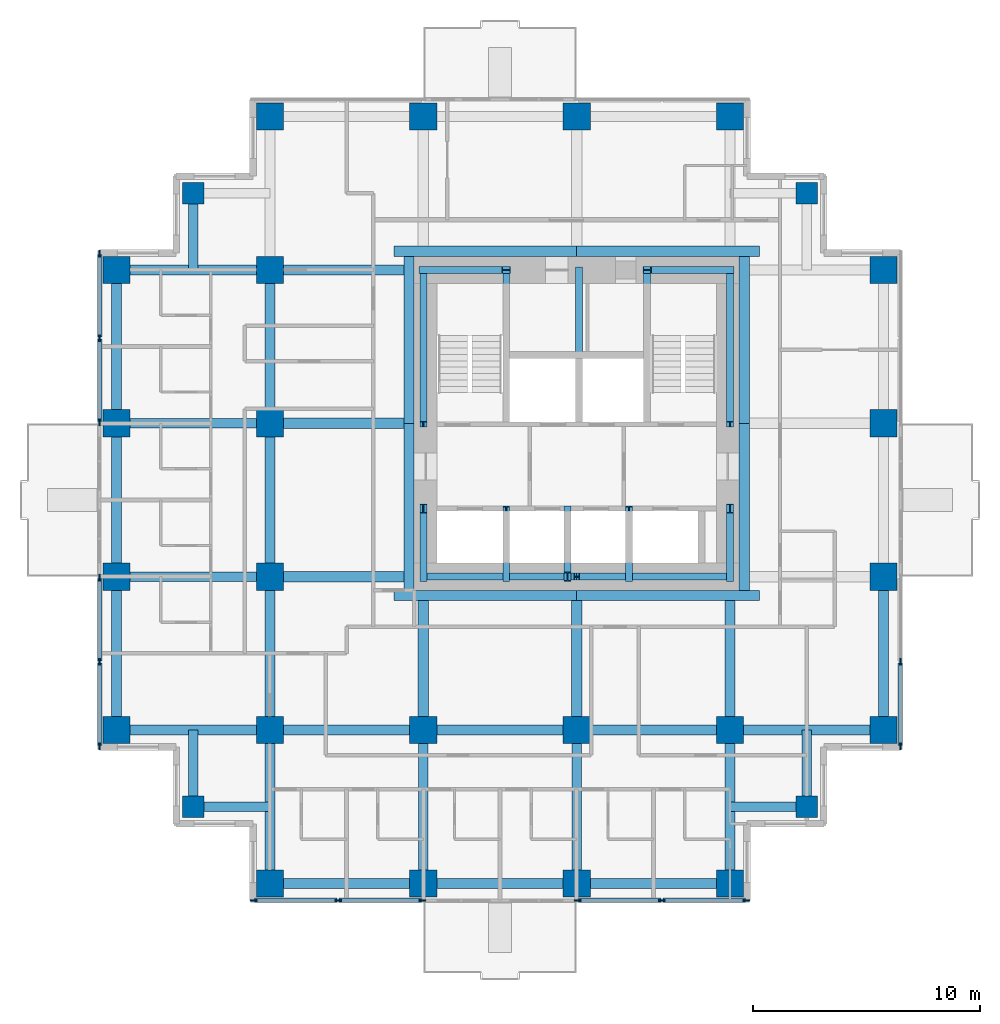
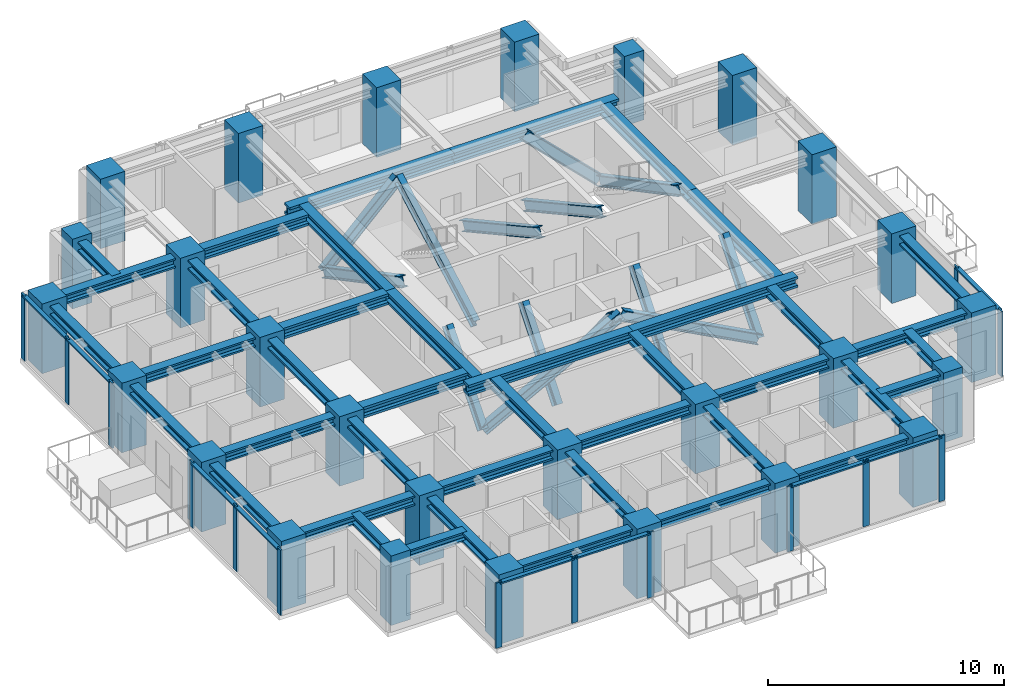
# One storey, part 1 of 8: 41 beams, 37 members, 27 columns, 5 elements without a shape of their own.
"""IFC4 building model written with IfcOpenShell, lengths in metres."""

import ifcopenshell
import ifcopenshell.guid

model = None  # the IFC model being written
_history = None  # IfcOwnerHistory: only IFC2X3 demands one
_inside = {}  # id of a spatial element -> (the spatial element, [elements in it])
_under = {}  # id of a project, library or spatial element -> (it, [spatial elements below it])
_declared = {}  # id of a project -> (the project, [libraries it declares])
_typed = {}  # id of a type object -> (the type object, [elements of that type])
_made_of = {}  # id of a material, layer set ... -> (it, [elements and type objects made of it])


def new_model(schema):
    """Start an empty IFC model of exactly this schema.

    Asked for "IFC4X3", IfcOpenShell would pick the latest addendum, in which some entities
    have other attributes; the version numbers below select the first issue.
    IFC2X3 requires an IfcOwnerHistory on every rooted entity: one is made here for all.
    """
    global model, _history
    if schema == "IFC4X3":
        model = ifcopenshell.file(schema_version=(4, 3, 0, 0))
    else:
        model = ifcopenshell.file(schema=schema)
    _inside.clear()
    _under.clear()
    _declared.clear()
    _typed.clear()
    _made_of.clear()
    _history = None
    if model.schema == "IFC2X3":
        org = make("IfcOrganization", Name="unknown")
        user = make(
            "IfcPersonAndOrganization",
            ThePerson=make("IfcPerson", FamilyName="unknown"),
            TheOrganization=org,
        )
        app = make(
            "IfcApplication",
            ApplicationDeveloper=org,
            Version="unknown",
            ApplicationFullName="unknown",
            ApplicationIdentifier="unknown",
        )
        _history = make(
            "IfcOwnerHistory",
            OwningUser=user,
            OwningApplication=app,
            ChangeAction="ADDED",
            CreationDate=0,
        )
    return model


def make(cls, **values):
    """One entity of the class cls with the attributes given. An attribute that is None is left unset."""
    return model.create_entity(
        cls, **{name: value for name, value in values.items() if value is not None}
    )


def rooted(cls, **values):
    """An entity with a GlobalId (a new one), such as an element, a storey or a relation."""
    return make(cls, GlobalId=ifcopenshell.guid.new(), OwnerHistory=_history, **values)


def si_unit(unit_type, name, prefix=None):
    """IfcSIUnit, for example si_unit("LENGTHUNIT", "METRE", prefix="MILLI")."""
    return make("IfcSIUnit", UnitType=unit_type, Prefix=prefix, Name=name)


def assignment(units):
    """IfcUnitAssignment: the units of a project."""
    return None if units is None else make("IfcUnitAssignment", Units=units)


def point(xyz):
    """IfcCartesianPoint."""
    return None if xyz is None else make("IfcCartesianPoint", Coordinates=xyz)


def direction(xyz):
    """IfcDirection."""
    return None if xyz is None else make("IfcDirection", DirectionRatios=xyz)


def frame(location, z_axis=None, x_axis=None):
    """IfcAxis2Placement3D, a coordinate frame: its origin and axes. An axis left out is left unset."""
    return make(
        "IfcAxis2Placement3D",
        Location=point(location),
        Axis=direction(z_axis),
        RefDirection=direction(x_axis),
    )


def frame_2d(location, x_axis=None):
    """IfcAxis2Placement2D, a coordinate frame in the plane: its origin and x axis."""
    return make(
        "IfcAxis2Placement2D", Location=point(location), RefDirection=direction(x_axis)
    )


def origin():
    """The frame at (0, 0, 0) with its axes left unset."""
    return frame((0.0, 0.0, 0.0))


def origin_2d():
    """The frame at (0, 0) in the plane with its x axis left unset."""
    return frame_2d((0.0, 0.0))


def place(relative_to, where):
    """IfcLocalPlacement: puts the frame where relative to a parent placement (None: the world)."""
    return make(
        "IfcLocalPlacement", PlacementRelTo=relative_to, RelativePlacement=where
    )


def context(
    kind, dimensions, precision=None, world=None, true_north=None, identifier=None
):
    """IfcGeometricRepresentationContext, for example the 3D "Model" context."""
    return make(
        "IfcGeometricRepresentationContext",
        ContextIdentifier=identifier,
        ContextType=kind,
        CoordinateSpaceDimension=dimensions,
        Precision=precision,
        WorldCoordinateSystem=world,
        TrueNorth=true_north,
    )


def subcontext(parent, identifier, kind, view, scale=None):
    """IfcGeometricRepresentationSubContext, for example "Body" below "Model"."""
    return make(
        "IfcGeometricRepresentationSubContext",
        ContextIdentifier=identifier,
        ContextType=kind,
        ParentContext=parent,
        TargetScale=scale,
        TargetView=view,
    )


def project(units=None, contexts=None):
    """IfcProject with its units and contexts."""
    return rooted(
        "IfcProject",
        Name="project",
        RepresentationContexts=contexts,
        UnitsInContext=assignment(units),
    )


def spatial(cls, under=None, at=None, **own):
    """A site, building, storey or space (cls), placed at a placement, below another one or the project."""
    s = rooted(cls, ObjectPlacement=at, **own)
    if under is not None:
        _under.setdefault(under.id(), (under, []))[1].append(s)
    return s


def profile(cls, at=None, kind="AREA", **sizes):
    """A parametric profile (cls). Its sizes go by their IFC names, for example OverallWidth=200.0."""
    return make(cls, ProfileType=kind, Position=at, **sizes)


def rectangle(**sizes):
    """IfcRectangleProfileDef."""
    return profile("IfcRectangleProfileDef", **sizes)


def i_section(**sizes):
    """IfcIShapeProfileDef."""
    return profile("IfcIShapeProfileDef", **sizes)


def extrude(swept, where, along, depth):
    """IfcExtrudedAreaSolid: the profile swept, set in the frame where, extruded along a direction by depth."""
    return make(
        "IfcExtrudedAreaSolid",
        SweptArea=swept,
        Position=where,
        ExtrudedDirection=direction(along),
        Depth=depth,
    )


def shape(context_of_items, identifier, shape_type, items):
    """IfcShapeRepresentation: the items that make up one representation, for example the "Body"."""
    return make(
        "IfcShapeRepresentation",
        ContextOfItems=context_of_items,
        RepresentationIdentifier=identifier,
        RepresentationType=shape_type,
        Items=items,
    )


def material(Name=None, Category=None):
    """IfcMaterial."""
    return make("IfcMaterial", Name=Name, Category=Category)


def material_profile(
    of_material, cross_section, Name=None, Category=None, Priority=None
):
    """IfcMaterialProfile: a cross section and its material."""
    return make(
        "IfcMaterialProfile",
        Name=Name,
        Material=of_material,
        Profile=cross_section,
        Priority=Priority,
        Category=Category,
    )


def profile_set(profiles, Name=None, composite=None):
    """IfcMaterialProfileSet."""
    return make(
        "IfcMaterialProfileSet",
        Name=Name,
        MaterialProfiles=profiles,
        CompositeProfile=composite,
    )


def made_of(thing, what):
    """Note that an element or type object is made of a material, layer set ...; save() writes the relation."""
    if what is not None:
        _made_of.setdefault(what.id(), (what, []))[1].append(thing)
    return thing


def type_object(cls, material=None, **own):
    """A type object (cls), such as IfcWallType, which elements share."""
    return made_of(rooted(cls, **own), material)


def element(
    cls,
    number,
    at=None,
    inside=None,
    cuts=None,
    type_object=None,
    material=None,
    context=None,
    identifier="Body",
    shape_type=None,
    held_by="IfcProductDefinitionShape",
    body=None,
    shapes=None,
    **own,
):
    """One element of the class cls, such as IfcWall. Its Tag is "e" and its number.

    at: its placement. inside: the storey or other place that contains it. cuts: it is an
    opening in that element (IfcRelVoidsElement). A single representation is given by context,
    identifier, shape_type and body (its items); several are given by shapes. held_by: the class
    of the entity that holds the representations. save() writes the other relations.
    """
    e = rooted(cls, Tag="e%d" % number, ObjectPlacement=at, **own)
    if body is not None:
        shapes = [shape(context, identifier, shape_type, body)]
    if shapes is not None:
        e.Representation = make(held_by, Representations=shapes)
    if inside is not None:
        _inside.setdefault(inside.id(), (inside, []))[1].append(e)
    if cuts is not None:
        rooted(
            "IfcRelVoidsElement", RelatingBuildingElement=cuts, RelatedOpeningElement=e
        )
    if type_object is not None:
        _typed.setdefault(type_object.id(), (type_object, []))[1].append(e)
    return made_of(e, material)


def aggregate(whole, parts):
    """IfcRelAggregates: a whole, such as a stair, and the parts it consists of."""
    return rooted("IfcRelAggregates", RelatingObject=whole, RelatedObjects=parts)


def save(model, path):
    """Write the relations noted so far, then the file.

    IfcRelAggregates (storeys below a building ...), IfcRelContainedInSpatialStructure (elements
    in a storey), IfcRelDefinesByType, IfcRelAssociatesMaterial and IfcRelDeclares: one each for
    every whole, place, type object, material and project.
    """
    for whole, parts in _under.values():
        aggregate(whole, parts)
    for where, things in _inside.values():
        rooted(
            "IfcRelContainedInSpatialStructure",
            RelatedElements=things,
            RelatingStructure=where,
        )
    for kind, things in _typed.values():
        rooted("IfcRelDefinesByType", RelatedObjects=things, RelatingType=kind)
    for what, things in _made_of.values():
        rooted("IfcRelAssociatesMaterial", RelatedObjects=things, RelatingMaterial=what)
    for by, libraries in _declared.values():
        rooted("IfcRelDeclares", RelatingContext=by, RelatedDefinitions=libraries)
    model.write(path)


model = new_model("IFC4")

# Units and contexts
model_context = context("Model", 3, precision=1e-05, world=origin(), true_north=direction((0.0, 1.0)))
body_context = subcontext(model_context, "Body", "Model", "MODEL_VIEW")
ifc_project = project(units=[si_unit("LENGTHUNIT", "METRE"), si_unit("AREAUNIT", "SQUARE_METRE"), si_unit("VOLUMEUNIT", "CUBIC_METRE"), si_unit("PLANEANGLEUNIT", "RADIAN"), si_unit("MASSUNIT", "GRAM", prefix="KILO")], contexts=[model_context])

# Site, building, storey
site_placement = place(None, origin())
site = spatial("IfcSite", under=ifc_project, at=site_placement, CompositionType="ELEMENT")
building_placement = place(site_placement, origin())
building = spatial("IfcBuilding", under=site, at=building_placement, Name="Nyansa Garden Tower", CompositionType="ELEMENT")
storey_placement = place(building_placement, frame((0.0, 0.0, 171.0)))
storey = spatial("IfcBuildingStorey", under=building, at=storey_placement, Name="L46", CompositionType="ELEMENT", Elevation=171.0)

# Columns
ifc_material_1 = material(Name="Concrete C70/85", Category="concrete")
ifc_material_profile_1 = material_profile(ifc_material_1, rectangle(XDim=1.199951171875, YDim=1.199951171875, at=origin_2d()), Name="RC 1200x1200")
ifc_profile_set_1 = profile_set([ifc_material_profile_1], Name="Concrete C70/85")
column_type_1 = type_object("IfcColumnType", Name="Column C120 RC 1200x1200", PredefinedType="COLUMN", material=ifc_profile_set_1)
for number, where, z_axis, x_axis, name in (
    (1, (0.0, 6.75, 0.0), (0.0, 0.0, 1.0), (1.0, 0.0, 0.0), "Column 2/E L46"),
    (2, (0.0, 13.5, 0.0), (0.0, 0.0, 1.0), (1.0, 0.0, 0.0), "Column 2/F L46"),
    (3, (0.0, 20.25, 0.0), (0.0, 0.0, 1.0), (1.0, 0.0, 0.0), "Column 2/G L46"),
    (4, (0.0, 27.0, 0.0), (0.0, 0.0, 1.0), (1.0, 0.0, 0.0), "Column 2/H L46"),
    (5, (6.75, 0.0, 0.0), (0.0, 0.0, 1.0), (1.0, 0.0, 0.0), "Column 3/D L46"),
    (6, (6.75, 6.75, 0.0), (0.0, 0.0, 1.0), (1.0, 0.0, 0.0), "Column 3/E L46"),
    (7, (6.75, 13.5, 0.0), (0.0, 0.0, 1.0), (1.0, 0.0, 0.0), "Column 3/F L46"),
    (8, (6.75, 20.25, 0.0), (0.0, 0.0, 1.0), (1.0, 0.0, 0.0), "Column 3/G L46"),
    (9, (6.75, 27.0, 0.0), (0.0, 0.0, 1.0), (1.0, 0.0, 0.0), "Column 3/H L46"),
    (10, (6.75, 33.75, 0.0), (0.0, 0.0, 1.0), (1.0, 0.0, 0.0), "Column 3/J L46"),
    (11, (13.5, 0.0, 0.0), (0.0, 0.0, 1.0), (1.0, 0.0, 0.0), "Column 4/D L46"),
    (12, (13.5, 6.75, 0.0), (0.0, 0.0, 1.0), (1.0, 0.0, 0.0), "Column 4/E L46"),
    (13, (13.5, 33.75, 0.0), (0.0, 0.0, 1.0), (1.0, 0.0, 0.0), "Column 4/J L46"),
    (14, (20.25, 0.0, 0.0), (0.0, 0.0, 1.0), (1.0, 0.0, 0.0), "Column 5/D L46"),
    (15, (20.25, 6.75, 0.0), (0.0, 0.0, 1.0), (1.0, 0.0, 0.0), "Column 5/E L46"),
    (16, (20.25, 33.75, 0.0), (0.0, 0.0, 1.0), (1.0, 0.0, 0.0), "Column 5/J L46"),
    (17, (27.0, 0.0, 0.0), (0.0, 0.0, 1.0), (1.0, 0.0, 0.0), "Column 6/D L46"),
    (18, (27.0, 6.75, 0.0), (0.0, 0.0, 1.0), (1.0, 0.0, 0.0), "Column 6/E L46"),
    (19, (27.0, 33.75, 0.0), (0.0, 0.0, 1.0), (1.0, 0.0, 0.0), "Column 6/J L46"),
    (20, (33.75, 6.75, 0.0), (0.0, 0.0, 1.0), (1.0, 0.0, 0.0), "Column 7/E L46"),
    (21, (33.75, 13.5, 0.0), (0.0, 0.0, 1.0), (1.0, 0.0, 0.0), "Column 7/F L46"),
    (22, (33.75, 20.25, 0.0), (0.0, 0.0, 1.0), (1.0, 0.0, 0.0), "Column 7/G L46"),
    (23, (33.75, 27.0, 0.0), (0.0, 0.0, 1.0), (1.0, 0.0, 0.0), "Column 7/H L46"),
):
    element("IfcColumn", number, at=place(storey_placement, frame(where, z_axis=z_axis, x_axis=x_axis)), inside=storey, type_object=column_type_1, Name=name, PredefinedType="COLUMN", context=body_context, shape_type="SweptSolid", body=[
        extrude(rectangle(XDim=1.199951171875, YDim=1.199951171875, at=origin_2d()), origin(), (0.0, 0.0, 1.0), 3.60009765625),
    ])
ifc_material_2 = material(Name="Concrete C70/85", Category="concrete")
ifc_material_profile_2 = material_profile(ifc_material_2, rectangle(XDim=0.949951171875, YDim=0.949951171875, at=origin_2d()), Name="RC 950x950")
ifc_profile_set_2 = profile_set([ifc_material_profile_2], Name="Concrete C70/85")
column_type_2 = type_object("IfcColumnType", Name="Column C95 RC 950x950", PredefinedType="COLUMN", material=ifc_profile_set_2)
for number, where, z_axis, x_axis, name in (
    (24, (3.375, 3.375, 0.0), (0.0, 0.0, 1.0), (1.0, 0.0, 0.0), "Column x3.375/y3.375 L46"),
    (25, (3.375, 30.375, 0.0), (0.0, 0.0, 1.0), (1.0, 0.0, 0.0), "Column x3.375/y30.375 L46"),
    (26, (30.375, 3.375, 0.0), (0.0, 0.0, 1.0), (1.0, 0.0, 0.0), "Column x30.375/y3.375 L46"),
    (27, (30.375, 30.375, 0.0), (0.0, 0.0, 1.0), (1.0, 0.0, 0.0), "Column x30.375/y30.375 L46"),
):
    element("IfcColumn", number, at=place(storey_placement, frame(where, z_axis=z_axis, x_axis=x_axis)), inside=storey, type_object=column_type_2, Name=name, PredefinedType="COLUMN", context=body_context, shape_type="SweptSolid", body=[
        extrude(rectangle(XDim=0.949951171875, YDim=0.949951171875, at=origin_2d()), origin(), (0.0, 0.0, 1.0), 3.60009765625),
    ])

# Curtain wall, members
ifc_material_3 = material(Name="Black anodised aluminium, dark tinted double glazing", Category="aluminium")
curtain_wall_type = type_object("IfcCurtainWallType", Name="Sky lounge curtain wall SLW", PredefinedType="USERDEFINED", material=ifc_material_3)
curtain_wall_1_placement = place(storey_placement, origin())
curtain_wall_1 = element("IfcCurtainWall", 28, at=curtain_wall_1_placement, inside=storey, type_object=curtain_wall_type, Name="Inner skin curtain wall L46 E", ObjectType="UNITISED CURTAIN WALL", PredefinedType="USERDEFINED")
ifc_material_4 = material(Name="Black anodised aluminium", Category="aluminium")
ifc_material_profile_3 = material_profile(ifc_material_4, rectangle(XDim=0.080078125, YDim=0.300048828125, at=origin_2d()), Name="Mullion 300x80")
ifc_profile_set_3 = profile_set([ifc_material_profile_3], Name="Black anodised aluminium")
member_type_1 = type_object("IfcMemberType", Name="Mullion SLW 300x80", PredefinedType="MULLION", material=ifc_profile_set_3)
member_1_placement = place(storey_placement, frame((34.5, 6.0400390625, 0.0), z_axis=(0.0, 0.0, 1.0), x_axis=(-1.0, 0.0, 0.0)))
member_1 = element("IfcMember", 29, at=member_1_placement, type_object=member_type_1, Name="SLW mullion 1", PredefinedType="MULLION", context=body_context, shape_type="SweptSolid", body=[
    extrude(rectangle(XDim=0.080078125, YDim=0.300048828125, at=origin_2d()), origin(), (0.0, 0.0, 1.0), 3.375),
])
member_2_placement = place(storey_placement, frame((34.5, 9.75, 0.0), z_axis=(0.0, 0.0, 1.0), x_axis=(-1.0, 0.0, 0.0)))
member_2 = element("IfcMember", 30, at=member_2_placement, type_object=member_type_1, Name="SLW mullion 2", PredefinedType="MULLION", context=body_context, shape_type="SweptSolid", body=[
    extrude(rectangle(XDim=0.080078125, YDim=0.300048828125, at=origin_2d()), origin(), (0.0, 0.0, 1.0), 3.375),
])

curtain_wall_2_placement = place(storey_placement, origin())
curtain_wall_2 = element("IfcCurtainWall", 31, at=curtain_wall_2_placement, inside=storey, type_object=curtain_wall_type, Name="Inner skin curtain wall L46 W", ObjectType="UNITISED CURTAIN WALL", PredefinedType="USERDEFINED")
member_3_placement = place(storey_placement, frame((-0.75, 13.4599609375, 0.0), z_axis=(0.0, 0.0, 1.0), x_axis=(1.0, 0.0, 0.0)))
member_3 = element("IfcMember", 32, at=member_3_placement, type_object=member_type_1, Name="SLW mullion 1", PredefinedType="MULLION", context=body_context, shape_type="SweptSolid", body=[
    extrude(rectangle(XDim=0.080078125, YDim=0.300048828125, at=origin_2d()), origin(), (0.0, 0.0, 1.0), 3.375),
])
member_4_placement = place(storey_placement, frame((-0.75, 9.75, 0.0), z_axis=(0.0, 0.0, 1.0), x_axis=(1.0, 0.0, 0.0)))
member_4 = element("IfcMember", 33, at=member_4_placement, type_object=member_type_1, Name="SLW mullion 2", PredefinedType="MULLION", context=body_context, shape_type="SweptSolid", body=[
    extrude(rectangle(XDim=0.080078125, YDim=0.300048828125, at=origin_2d()), origin(), (0.0, 0.0, 1.0), 3.375),
])
member_5_placement = place(storey_placement, frame((-0.75, 6.0400390625, 0.0), z_axis=(0.0, 0.0, 1.0), x_axis=(1.0, 0.0, 0.0)))
member_5 = element("IfcMember", 34, at=member_5_placement, type_object=member_type_1, Name="SLW mullion 3", PredefinedType="MULLION", context=body_context, shape_type="SweptSolid", body=[
    extrude(rectangle(XDim=0.080078125, YDim=0.300048828125, at=origin_2d()), origin(), (0.0, 0.0, 1.0), 3.375),
])

curtain_wall_3_placement = place(storey_placement, origin())
curtain_wall_3 = element("IfcCurtainWall", 35, at=curtain_wall_3_placement, inside=storey, type_object=curtain_wall_type, Name="Inner skin curtain wall L46 W", ObjectType="UNITISED CURTAIN WALL", PredefinedType="USERDEFINED")
member_6_placement = place(storey_placement, frame((-0.75, 27.7099609375, 0.0), z_axis=(0.0, 0.0, 1.0), x_axis=(1.0, 0.0, 0.0)))
member_6 = element("IfcMember", 36, at=member_6_placement, type_object=member_type_1, Name="SLW mullion 1", PredefinedType="MULLION", context=body_context, shape_type="SweptSolid", body=[
    extrude(rectangle(XDim=0.080078125, YDim=0.300048828125, at=origin_2d()), origin(), (0.0, 0.0, 1.0), 3.375),
])
member_7_placement = place(storey_placement, frame((-0.75, 24.0, 0.0), z_axis=(0.0, 0.0, 1.0), x_axis=(1.0, 0.0, 0.0)))
member_7 = element("IfcMember", 37, at=member_7_placement, type_object=member_type_1, Name="SLW mullion 2", PredefinedType="MULLION", context=body_context, shape_type="SweptSolid", body=[
    extrude(rectangle(XDim=0.080078125, YDim=0.300048828125, at=origin_2d()), origin(), (0.0, 0.0, 1.0), 3.375),
])
member_8_placement = place(storey_placement, frame((-0.75, 20.2900390625, 0.0), z_axis=(0.0, 0.0, 1.0), x_axis=(1.0, 0.0, 0.0)))
member_8 = element("IfcMember", 38, at=member_8_placement, type_object=member_type_1, Name="SLW mullion 3", PredefinedType="MULLION", context=body_context, shape_type="SweptSolid", body=[
    extrude(rectangle(XDim=0.080078125, YDim=0.300048828125, at=origin_2d()), origin(), (0.0, 0.0, 1.0), 3.375),
])

curtain_wall_4_placement = place(storey_placement, origin())
curtain_wall_4 = element("IfcCurtainWall", 39, at=curtain_wall_4_placement, inside=storey, type_object=curtain_wall_type, Name="Inner skin curtain wall L46 S", ObjectType="UNITISED CURTAIN WALL", PredefinedType="USERDEFINED")
member_9_placement = place(storey_placement, frame((6.0400390625, -0.75, 0.0), z_axis=(0.0, 0.0, 1.0), x_axis=(0.0, 1.0, 0.0)))
member_9 = element("IfcMember", 40, at=member_9_placement, type_object=member_type_1, Name="SLW mullion 1", PredefinedType="MULLION", context=body_context, shape_type="SweptSolid", body=[
    extrude(rectangle(XDim=0.080078125, YDim=0.300048828125, at=origin_2d()), origin(), (0.0, 0.0, 1.0), 3.375),
])
member_10_placement = place(storey_placement, frame((9.75, -0.75, 0.0), z_axis=(0.0, 0.0, 1.0), x_axis=(0.0, 1.0, 0.0)))
member_10 = element("IfcMember", 41, at=member_10_placement, type_object=member_type_1, Name="SLW mullion 2", PredefinedType="MULLION", context=body_context, shape_type="SweptSolid", body=[
    extrude(rectangle(XDim=0.080078125, YDim=0.300048828125, at=origin_2d()), origin(), (0.0, 0.0, 1.0), 3.375),
])
member_11_placement = place(storey_placement, frame((13.4599609375, -0.75, 0.0), z_axis=(0.0, 0.0, 1.0), x_axis=(0.0, 1.0, 0.0)))
member_11 = element("IfcMember", 42, at=member_11_placement, type_object=member_type_1, Name="SLW mullion 3", PredefinedType="MULLION", context=body_context, shape_type="SweptSolid", body=[
    extrude(rectangle(XDim=0.080078125, YDim=0.300048828125, at=origin_2d()), origin(), (0.0, 0.0, 1.0), 3.375),
])

curtain_wall_5_placement = place(storey_placement, origin())
curtain_wall_5 = element("IfcCurtainWall", 43, at=curtain_wall_5_placement, inside=storey, type_object=curtain_wall_type, Name="Inner skin curtain wall L46 S", ObjectType="UNITISED CURTAIN WALL", PredefinedType="USERDEFINED")
member_12_placement = place(storey_placement, frame((20.2900390625, -0.75, 0.0), z_axis=(0.0, 0.0, 1.0), x_axis=(0.0, 1.0, 0.0)))
member_12 = element("IfcMember", 44, at=member_12_placement, type_object=member_type_1, Name="SLW mullion 1", PredefinedType="MULLION", context=body_context, shape_type="SweptSolid", body=[
    extrude(rectangle(XDim=0.080078125, YDim=0.300048828125, at=origin_2d()), origin(), (0.0, 0.0, 1.0), 3.375),
])
member_13_placement = place(storey_placement, frame((24.0, -0.75, 0.0), z_axis=(0.0, 0.0, 1.0), x_axis=(0.0, 1.0, 0.0)))
member_13 = element("IfcMember", 45, at=member_13_placement, type_object=member_type_1, Name="SLW mullion 2", PredefinedType="MULLION", context=body_context, shape_type="SweptSolid", body=[
    extrude(rectangle(XDim=0.080078125, YDim=0.300048828125, at=origin_2d()), origin(), (0.0, 0.0, 1.0), 3.375),
])
member_14_placement = place(storey_placement, frame((27.7099609375, -0.75, 0.0), z_axis=(0.0, 0.0, 1.0), x_axis=(0.0, 1.0, 0.0)))
member_14 = element("IfcMember", 46, at=member_14_placement, type_object=member_type_1, Name="SLW mullion 3", PredefinedType="MULLION", context=body_context, shape_type="SweptSolid", body=[
    extrude(rectangle(XDim=0.080078125, YDim=0.300048828125, at=origin_2d()), origin(), (0.0, 0.0, 1.0), 3.375),
])

# Members
ifc_material_5 = material(Name="Steel S355", Category="steel")
ifc_material_profile_4 = material_profile(ifc_material_5, i_section(OverallWidth=0.305908203125, OverallDepth=0.52392578125, WebThickness=0.02099609375, FlangeThickness=0.0400390625, FilletRadius=0.027099609375, at=origin_2d()), Name="HE 500 M")
ifc_profile_set_4 = profile_set([ifc_material_profile_4], Name="Steel S355")
member_type_2 = type_object("IfcMemberType", Name="Perimeter brace HE 500 M", PredefinedType="BRACE", material=ifc_profile_set_4)
for number, where, z_axis, x_axis, name in (
    (47, (13.5, 13.5, 0.0), (0.882347640589, 0.0, 0.47059817376), (0.0, 1.0, 0.0), "Core brace CS1 L46"),
    (48, (27.0, 13.5, 0.0), (-0.882347640589, 0.0, 0.47059817376), (0.0, -1.0, 0.0), "Core brace CS2 L46"),
):
    element("IfcMember", number, at=place(storey_placement, frame(where, z_axis=z_axis, x_axis=x_axis)), inside=storey, type_object=member_type_2, Name=name, PredefinedType="BRACE", context=body_context, shape_type="SweptSolid", body=[
        extrude(i_section(OverallWidth=0.305908203125, OverallDepth=0.52392578125, WebThickness=0.02099609375, FlangeThickness=0.0400390625, FilletRadius=0.027099609375, at=origin_2d()), origin(), (0.0, 0.0, 1.0), 7.650146484375),
    ])
for number, where, z_axis, x_axis, name in (
    (49, (13.5, 27.0, 0.0), (0.711947531702, 0.0, 0.702232662373), (0.0, 1.0, 0.0), "Core brace CN3 L46"),
    (50, (27.0, 27.0, 0.0), (-0.711947531702, 0.0, 0.702232662373), (0.0, -1.0, 0.0), "Core brace CN4 L46"),
):
    element("IfcMember", number, at=place(storey_placement, frame(where, z_axis=z_axis, x_axis=x_axis)), inside=storey, type_object=member_type_2, Name=name, PredefinedType="BRACE", context=body_context, shape_type="SweptSolid", body=[
        extrude(i_section(OverallWidth=0.305908203125, OverallDepth=0.52392578125, WebThickness=0.02099609375, FlangeThickness=0.0400390625, FilletRadius=0.027099609375, at=origin_2d()), origin(), (0.0, 0.0, 1.0), 5.126708984375),
    ])
member_15_placement = place(storey_placement, frame((13.5, 13.5, 0.0), z_axis=(0.0, 0.640174150918, 0.768229820104), x_axis=(-1.0, 0.0, 0.0)))
element("IfcMember", 51, at=member_15_placement, inside=storey, type_object=member_type_2, Name="Core brace CW5 L46", PredefinedType="BRACE", context=body_context, shape_type="SweptSolid", body=[
    extrude(i_section(OverallWidth=0.305908203125, OverallDepth=0.52392578125, WebThickness=0.02099609375, FlangeThickness=0.0400390625, FilletRadius=0.027099609375, at=origin_2d()), origin(), (0.0, 0.0, 1.0), 4.686279296875),
])
member_16_placement = place(storey_placement, frame((13.5, 27.0, 0.0), z_axis=(0.0, -0.883784057226, 0.467895009796), x_axis=(1.0, 0.0, 0.0)))
element("IfcMember", 52, at=member_16_placement, inside=storey, type_object=member_type_2, Name="Core brace CW6 L46", PredefinedType="BRACE", context=body_context, shape_type="SweptSolid", body=[
    extrude(i_section(OverallWidth=0.305908203125, OverallDepth=0.52392578125, WebThickness=0.02099609375, FlangeThickness=0.0400390625, FilletRadius=0.027099609375, at=origin_2d()), origin(), (0.0, 0.0, 1.0), 7.6943359375),
])
member_17_placement = place(storey_placement, frame((27.0, 13.5, 0.0), z_axis=(0.0, 0.640174150918, 0.768229820104), x_axis=(-1.0, 0.0, 0.0)))
element("IfcMember", 53, at=member_17_placement, inside=storey, type_object=member_type_2, Name="Core brace CE7 L46", PredefinedType="BRACE", context=body_context, shape_type="SweptSolid", body=[
    extrude(i_section(OverallWidth=0.305908203125, OverallDepth=0.52392578125, WebThickness=0.02099609375, FlangeThickness=0.0400390625, FilletRadius=0.027099609375, at=origin_2d()), origin(), (0.0, 0.0, 1.0), 4.686279296875),
])
member_18_placement = place(storey_placement, frame((27.0, 27.0, 0.0), z_axis=(0.0, -0.883784057226, 0.467895009796), x_axis=(1.0, 0.0, 0.0)))
element("IfcMember", 54, at=member_18_placement, inside=storey, type_object=member_type_2, Name="Core brace CE8 L46", PredefinedType="BRACE", context=body_context, shape_type="SweptSolid", body=[
    extrude(i_section(OverallWidth=0.305908203125, OverallDepth=0.52392578125, WebThickness=0.02099609375, FlangeThickness=0.0400390625, FilletRadius=0.027099609375, at=origin_2d()), origin(), (0.0, 0.0, 1.0), 7.6943359375),
])
for number, where, z_axis, x_axis, name in (
    (55, (17.14990234375, 20.449951171875, 0.0), (0.0, 0.876353113771, 0.481669201822), (-1.0, 0.0, 0.0), "Core brace CWS9 L46"),
    (56, (23.35009765625, 27.0, 0.0), (0.0, -0.876353113771, 0.481669201822), (1.0, 0.0, 0.0), "Core brace CES10 L46"),
):
    element("IfcMember", number, at=place(storey_placement, frame(where, z_axis=z_axis, x_axis=x_axis)), inside=storey, type_object=member_type_2, Name=name, PredefinedType="BRACE", context=body_context, shape_type="SweptSolid", body=[
        extrude(i_section(OverallWidth=0.305908203125, OverallDepth=0.52392578125, WebThickness=0.02099609375, FlangeThickness=0.0400390625, FilletRadius=0.027099609375, at=origin_2d()), origin(), (0.0, 0.0, 1.0), 7.47412109375),
    ])
for number, where, z_axis, x_axis, name in (
    (57, (17.14990234375, 13.5, 0.0), (0.0, 0.627306405886, 0.778772542617), (-1.0, 0.0, 0.0), "Core brace CSW11 L46"),
    (58, (19.85009765625, 16.39990234375, 0.0), (0.0, -0.627306405886, 0.778772542617), (1.0, 0.0, 0.0), "Core brace CSW12 L46"),
    (59, (22.550048828125, 13.5, 0.0), (0.0, 0.627306405886, 0.778772542617), (-1.0, 0.0, 0.0), "Core brace CSW13 L46"),
):
    element("IfcMember", number, at=place(storey_placement, frame(where, z_axis=z_axis, x_axis=x_axis)), inside=storey, type_object=member_type_2, Name=name, PredefinedType="BRACE", context=body_context, shape_type="SweptSolid", body=[
        extrude(i_section(OverallWidth=0.305908203125, OverallDepth=0.52392578125, WebThickness=0.02099609375, FlangeThickness=0.0400390625, FilletRadius=0.027099609375, at=origin_2d()), origin(), (0.0, 0.0, 1.0), 4.622802734375),
    ])
member_19_placement = place(storey_placement, frame((20.35009765625, 27.0, 0.0), z_axis=(0.0, -0.876353113771, 0.481669201822), x_axis=(1.0, 0.0, 0.0)))
element("IfcMember", 60, at=member_19_placement, inside=storey, type_object=member_type_2, Name="Core brace CNW14 L46", PredefinedType="BRACE", context=body_context, shape_type="SweptSolid", body=[
    extrude(i_section(OverallWidth=0.305908203125, OverallDepth=0.52392578125, WebThickness=0.02099609375, FlangeThickness=0.0400390625, FilletRadius=0.027099609375, at=origin_2d()), origin(), (0.0, 0.0, 1.0), 7.47412109375),
])

# Beams
ifc_material_6 = material(Name="Steel S355", Category="steel")
ifc_material_profile_5 = material_profile(ifc_material_6, i_section(OverallWidth=0.431884765625, OverallDepth=0.498046875, WebThickness=0.0556640625, FlangeThickness=0.0888671875, FilletRadius=0.014892578125, at=origin_2d()), Name="HD 400x744")
ifc_profile_set_5 = profile_set([ifc_material_profile_5], Name="Steel S355")
beam_type_1 = type_object("IfcBeamType", Name="Steel beam SBC1-744 HD 400x744", PredefinedType="BEAM", material=ifc_profile_set_5)
for number, where, z_axis, x_axis, name in (
    (61, (0.0, 6.75, 3.1259765625), (1.0, 0.0, 0.0), (0.0, 1.0, 0.0), "Steel beam 2/E-3/E L47"),
    (62, (0.0, 13.5, 3.1259765625), (1.0, 0.0, 0.0), (0.0, 1.0, 0.0), "Steel beam 2/F-3/F L47"),
    (63, (0.0, 20.25, 3.1259765625), (1.0, 0.0, 0.0), (0.0, 1.0, 0.0), "Steel beam 2/G-3/G L47"),
    (64, (0.0, 27.0, 3.1259765625), (1.0, 0.0, 0.0), (0.0, 1.0, 0.0), "Steel beam 2/H-3/H L47"),
    (65, (6.75, 0.0, 3.1259765625), (0.0, 1.0, 0.0), (-1.0, 0.0, 0.0), "Steel beam 3/D-3/E L47"),
    (66, (6.75, 6.75, 3.1259765625), (0.0, 1.0, 0.0), (-1.0, 0.0, 0.0), "Steel beam 3/E-3/F L47"),
    (67, (6.75, 6.75, 3.1259765625), (1.0, 0.0, 0.0), (0.0, 1.0, 0.0), "Steel beam 3/E-4/E L47"),
    (68, (6.75, 13.5, 3.1259765625), (0.0, 1.0, 0.0), (-1.0, 0.0, 0.0), "Steel beam 3/F-3/G L47"),
    (69, (6.75, 20.25, 3.1259765625), (0.0, 1.0, 0.0), (-1.0, 0.0, 0.0), "Steel beam 3/G-3/H L47"),
    (70, (13.5, 0.0, 3.1259765625), (0.0, 1.0, 0.0), (-1.0, 0.0, 0.0), "Steel beam 4/D-4/E L47"),
    (71, (13.5, 6.75, 3.1259765625), (1.0, 0.0, 0.0), (0.0, 1.0, 0.0), "Steel beam 4/E-5/E L47"),
    (72, (20.25, 0.0, 3.1259765625), (0.0, 1.0, 0.0), (-1.0, 0.0, 0.0), "Steel beam 5/D-5/E L47"),
    (73, (20.25, 6.75, 3.1259765625), (1.0, 0.0, 0.0), (0.0, 1.0, 0.0), "Steel beam 5/E-6/E L47"),
    (74, (27.0, 0.0, 3.1259765625), (0.0, 1.0, 0.0), (-1.0, 0.0, 0.0), "Steel beam 6/D-6/E L47"),
    (75, (27.0, 6.75, 3.1259765625), (1.0, 0.0, 0.0), (0.0, 1.0, 0.0), "Steel beam 6/E-7/E L47"),
):
    element("IfcBeam", number, at=place(storey_placement, frame(where, z_axis=z_axis, x_axis=x_axis)), inside=storey, type_object=beam_type_1, Name=name, PredefinedType="BEAM", context=body_context, shape_type="SweptSolid", body=[
        extrude(i_section(OverallWidth=0.431884765625, OverallDepth=0.498046875, WebThickness=0.0556640625, FlangeThickness=0.0888671875, FilletRadius=0.014892578125, at=origin_2d()), origin(), (0.0, 0.0, 1.0), 6.75),
    ])
ifc_material_7 = material(Name="Steel S355", Category="steel")
ifc_material_profile_6 = material_profile(ifc_material_7, i_section(OverallWidth=0.4541015625, OverallDepth=0.569091796875, WebThickness=0.077880859375, FlangeThickness=0.125, FilletRadius=0.014892578125, at=origin_2d()), Name="HD 400x1086")
ifc_profile_set_6 = profile_set([ifc_material_profile_6], Name="Steel S355")
beam_type_2 = type_object("IfcBeamType", Name="Steel beam SCL-1086 HD 400x1086", PredefinedType="BEAM", material=ifc_profile_set_6)
for number, where, z_axis, x_axis, name in (
    (76, (6.75, 13.5, 3.090576171875), (1.0, 0.0, 0.0), (0.0, 1.0, 0.0), "Steel beam 3/F-12.650/F L47"),
    (77, (6.75, 20.25, 3.090576171875), (1.0, 0.0, 0.0), (0.0, 1.0, 0.0), "Steel beam 3/G-12.650/G L47"),
    (78, (6.75, 27.0, 3.090576171875), (1.0, 0.0, 0.0), (0.0, 1.0, 0.0), "Steel beam 3/H-12.650/H L47"),
):
    element("IfcBeam", number, at=place(storey_placement, frame(where, z_axis=z_axis, x_axis=x_axis)), inside=storey, type_object=beam_type_2, Name=name, PredefinedType="BEAM", context=body_context, shape_type="SweptSolid", body=[
        extrude(i_section(OverallWidth=0.4541015625, OverallDepth=0.569091796875, WebThickness=0.077880859375, FlangeThickness=0.125, FilletRadius=0.014892578125, at=origin_2d()), origin(), (0.0, 0.0, 1.0), 5.89990234375),
    ])
for number, where, z_axis, x_axis, name in (
    (79, (13.5, 6.75, 3.090576171875), (0.0, 1.0, 0.0), (-1.0, 0.0, 0.0), "Steel beam 4/E-4/12.450 L47"),
    (80, (20.25, 6.75, 3.090576171875), (0.0, 1.0, 0.0), (-1.0, 0.0, 0.0), "Steel beam 5/E-5/12.450 L47"),
    (81, (27.0, 6.75, 3.090576171875), (0.0, 1.0, 0.0), (-1.0, 0.0, 0.0), "Steel beam 6/E-6/12.450 L47"),
):
    element("IfcBeam", number, at=place(storey_placement, frame(where, z_axis=z_axis, x_axis=x_axis)), inside=storey, type_object=beam_type_2, Name=name, PredefinedType="BEAM", context=body_context, shape_type="SweptSolid", body=[
        extrude(i_section(OverallWidth=0.4541015625, OverallDepth=0.569091796875, WebThickness=0.077880859375, FlangeThickness=0.125, FilletRadius=0.014892578125, at=origin_2d()), origin(), (0.0, 0.0, 1.0), 5.699951171875),
    ])
for number, where, z_axis, x_axis, name in (
    (82, (12.199951171875, 12.673095703125, 3.090576171875), (1.0, 0.0, 0.0), (0.0, 1.0, 0.0), "Steel core ledger beam S.1 L47"),
    (83, (20.25, 12.673095703125, 3.090576171875), (1.0, 0.0, 0.0), (0.0, 1.0, 0.0), "Steel core ledger beam S.2 L47"),
):
    element("IfcBeam", number, at=place(storey_placement, frame(where, z_axis=z_axis, x_axis=x_axis)), inside=storey, type_object=beam_type_2, Name=name, PredefinedType="BEAM", context=body_context, shape_type="SweptSolid", body=[
        extrude(i_section(OverallWidth=0.4541015625, OverallDepth=0.569091796875, WebThickness=0.077880859375, FlangeThickness=0.125, FilletRadius=0.014892578125, at=origin_2d()), origin(), (0.0, 0.0, 1.0), 8.050048828125),
    ])
for number, where, z_axis, x_axis, name in (
    (84, (27.626953125, 12.89990234375, 3.090576171875), (0.0, 1.0, 0.0), (-1.0, 0.0, 0.0), "Steel core ledger beam E.1 L47"),
    (85, (27.626953125, 20.25, 3.090576171875), (0.0, 1.0, 0.0), (-1.0, 0.0, 0.0), "Steel core ledger beam E.2 L47"),
):
    element("IfcBeam", number, at=place(storey_placement, frame(where, z_axis=z_axis, x_axis=x_axis)), inside=storey, type_object=beam_type_2, Name=name, PredefinedType="BEAM", context=body_context, shape_type="SweptSolid", body=[
        extrude(i_section(OverallWidth=0.4541015625, OverallDepth=0.569091796875, WebThickness=0.077880859375, FlangeThickness=0.125, FilletRadius=0.014892578125, at=origin_2d()), origin(), (0.0, 0.0, 1.0), 7.35009765625),
    ])
for number, where, z_axis, x_axis, name in (
    (86, (28.300048828125, 27.826904296875, 3.090576171875), (-1.0, 0.0, 0.0), (0.0, -1.0, 0.0), "Steel core ledger beam N.1 L47"),
    (87, (20.25, 27.826904296875, 3.090576171875), (-1.0, 0.0, 0.0), (0.0, -1.0, 0.0), "Steel core ledger beam N.2 L47"),
):
    element("IfcBeam", number, at=place(storey_placement, frame(where, z_axis=z_axis, x_axis=x_axis)), inside=storey, type_object=beam_type_2, Name=name, PredefinedType="BEAM", context=body_context, shape_type="SweptSolid", body=[
        extrude(i_section(OverallWidth=0.4541015625, OverallDepth=0.569091796875, WebThickness=0.077880859375, FlangeThickness=0.125, FilletRadius=0.014892578125, at=origin_2d()), origin(), (0.0, 0.0, 1.0), 8.050048828125),
    ])
for number, where, z_axis, x_axis, name in (
    (88, (12.873046875, 27.60009765625, 3.090576171875), (0.0, -1.0, 0.0), (1.0, 0.0, 0.0), "Steel core ledger beam W.1 L47"),
    (89, (12.873046875, 20.25, 3.090576171875), (0.0, -1.0, 0.0), (1.0, 0.0, 0.0), "Steel core ledger beam W.2 L47"),
):
    element("IfcBeam", number, at=place(storey_placement, frame(where, z_axis=z_axis, x_axis=x_axis)), inside=storey, type_object=beam_type_2, Name=name, PredefinedType="BEAM", context=body_context, shape_type="SweptSolid", body=[
        extrude(i_section(OverallWidth=0.4541015625, OverallDepth=0.569091796875, WebThickness=0.077880859375, FlangeThickness=0.125, FilletRadius=0.014892578125, at=origin_2d()), origin(), (0.0, 0.0, 1.0), 7.35009765625),
    ])
ifc_material_8 = material(Name="Steel S355", Category="steel")
ifc_material_profile_7 = material_profile(ifc_material_8, i_section(OverallWidth=0.431884765625, OverallDepth=0.498046875, WebThickness=0.0556640625, FlangeThickness=0.0888671875, FilletRadius=0.014892578125, at=origin_2d()), Name="HD 400x744")
ifc_profile_set_7 = profile_set([ifc_material_profile_7], Name="Steel S355")
beam_type_3 = type_object("IfcBeamType", Name="Steel beam SEBC-744 HD 400x744", PredefinedType="BEAM", material=ifc_profile_set_7)
for number, where, z_axis, x_axis, name in (
    (90, (0.0, 6.75, 3.1259765625), (0.0, 1.0, 0.0), (-1.0, 0.0, 0.0), "Steel edge beam 2/E-2/F L47"),
    (91, (0.0, 13.5, 3.1259765625), (0.0, 1.0, 0.0), (-1.0, 0.0, 0.0), "Steel edge beam 2/F-2/G L47"),
    (92, (0.0, 20.25, 3.1259765625), (0.0, 1.0, 0.0), (-1.0, 0.0, 0.0), "Steel edge beam 2/G-2/H L47"),
    (93, (6.75, 0.0, 3.1259765625), (1.0, 0.0, 0.0), (0.0, 1.0, 0.0), "Steel edge beam 3/D-4/D L47"),
    (94, (13.5, 0.0, 3.1259765625), (1.0, 0.0, 0.0), (0.0, 1.0, 0.0), "Steel edge beam 4/D-5/D L47"),
    (95, (20.25, 0.0, 3.1259765625), (1.0, 0.0, 0.0), (0.0, 1.0, 0.0), "Steel edge beam 5/D-6/D L47"),
    (96, (33.75, 6.75, 3.1259765625), (0.0, 1.0, 0.0), (-1.0, 0.0, 0.0), "Steel edge beam 7/E-7/F L47"),
):
    element("IfcBeam", number, at=place(storey_placement, frame(where, z_axis=z_axis, x_axis=x_axis)), inside=storey, type_object=beam_type_3, Name=name, PredefinedType="BEAM", context=body_context, shape_type="SweptSolid", body=[
        extrude(i_section(OverallWidth=0.431884765625, OverallDepth=0.498046875, WebThickness=0.0556640625, FlangeThickness=0.0888671875, FilletRadius=0.014892578125, at=origin_2d()), origin(), (0.0, 0.0, 1.0), 6.75),
    ])
ifc_material_9 = material(Name="Steel S355", Category="steel")
ifc_material_profile_8 = material_profile(ifc_material_9, i_section(OverallWidth=0.431884765625, OverallDepth=0.498046875, WebThickness=0.0556640625, FlangeThickness=0.0888671875, FilletRadius=0.014892578125, at=origin_2d()), Name="HD 400x744")
ifc_profile_set_8 = profile_set([ifc_material_profile_8], Name="Steel S355")
beam_type_4 = type_object("IfcBeamType", Name="Steel beam SSB1-744 HD 400x744", PredefinedType="BEAM", material=ifc_profile_set_8)
for number, where, z_axis, x_axis, name in (
    (97, (3.375, 3.375, 3.1259765625), (0.0, 1.0, 0.0), (-1.0, 0.0, 0.0), "Steel step beam 3.375/3.375 L47"),
    (98, (3.375, 3.375, 3.1259765625), (1.0, 0.0, 0.0), (0.0, 1.0, 0.0), "Steel step beam 3.375/3.375 L47"),
    (99, (30.375, 3.375, 3.1259765625), (0.0, 1.0, 0.0), (-1.0, 0.0, 0.0), "Steel step beam 30.375/3.375 L47"),
    (100, (30.375, 3.375, 3.1259765625), (-1.0, 0.0, 0.0), (0.0, -1.0, 0.0), "Steel step beam 30.375/3.375 L47"),
    (101, (3.375, 30.375, 3.1259765625), (0.0, -1.0, 0.0), (1.0, 0.0, 0.0), "Steel step beam 3.375/30.375 L47"),
):
    element("IfcBeam", number, at=place(storey_placement, frame(where, z_axis=z_axis, x_axis=x_axis)), inside=storey, type_object=beam_type_4, Name=name, PredefinedType="BEAM", context=body_context, shape_type="SweptSolid", body=[
        extrude(i_section(OverallWidth=0.431884765625, OverallDepth=0.498046875, WebThickness=0.0556640625, FlangeThickness=0.0888671875, FilletRadius=0.014892578125, at=origin_2d()), origin(), (0.0, 0.0, 1.0), 3.375),
    ])

# Member
ifc_material_10 = material(Name="Black anodised aluminium", Category="aluminium")
ifc_material_profile_9 = material_profile(ifc_material_10, rectangle(XDim=0.199951171875, YDim=0.080078125, at=origin_2d()), Name="Transom 200x80")
ifc_profile_set_9 = profile_set([ifc_material_profile_9], Name="Black anodised aluminium")
member_type_3 = type_object("IfcMemberType", Name="Transom SLW 200x80", PredefinedType="USERDEFINED", material=ifc_profile_set_9)
member_20_placement = place(storey_placement, frame((34.5, 6.080078125, 3.3349609375), z_axis=(0.0, 1.0, 0.0), x_axis=(-1.0, 0.0, 0.0)))
member_20 = element("IfcMember", 102, at=member_20_placement, type_object=member_type_3, Name="SLW transom 1", ObjectType="TRANSOM", PredefinedType="USERDEFINED", context=body_context, shape_type="SweptSolid", body=[
    extrude(rectangle(XDim=0.199951171875, YDim=0.080078125, at=origin_2d()), origin(), (0.0, 0.0, 1.0), 3.6298828125),
])

aggregate(curtain_wall_1, [member_1, member_2, member_20])

member_21_placement = place(storey_placement, frame((-0.75, 13.419921875, 3.3349609375), z_axis=(0.0, -1.0, 0.0), x_axis=(1.0, 0.0, 0.0)))
member_21 = element("IfcMember", 103, at=member_21_placement, type_object=member_type_3, Name="SLW transom 1", ObjectType="TRANSOM", PredefinedType="USERDEFINED", context=body_context, shape_type="SweptSolid", body=[
    extrude(rectangle(XDim=0.199951171875, YDim=0.080078125, at=origin_2d()), origin(), (0.0, 0.0, 1.0), 3.6298828125),
])

member_22_placement = place(storey_placement, frame((-0.75, 9.7099609375, 3.3349609375), z_axis=(0.0, -1.0, 0.0), x_axis=(1.0, 0.0, 0.0)))
member_22 = element("IfcMember", 104, at=member_22_placement, type_object=member_type_3, Name="SLW transom 2", ObjectType="TRANSOM", PredefinedType="USERDEFINED", context=body_context, shape_type="SweptSolid", body=[
    extrude(rectangle(XDim=0.199951171875, YDim=0.080078125, at=origin_2d()), origin(), (0.0, 0.0, 1.0), 3.6298828125),
])

aggregate(curtain_wall_2, [member_3, member_4, member_5, member_21, member_22])

member_23_placement = place(storey_placement, frame((-0.75, 27.669921875, 3.3349609375), z_axis=(0.0, -1.0, 0.0), x_axis=(1.0, 0.0, 0.0)))
member_23 = element("IfcMember", 105, at=member_23_placement, type_object=member_type_3, Name="SLW transom 1", ObjectType="TRANSOM", PredefinedType="USERDEFINED", context=body_context, shape_type="SweptSolid", body=[
    extrude(rectangle(XDim=0.199951171875, YDim=0.080078125, at=origin_2d()), origin(), (0.0, 0.0, 1.0), 3.6298828125),
])

member_24_placement = place(storey_placement, frame((-0.75, 23.9599609375, 3.3349609375), z_axis=(0.0, -1.0, 0.0), x_axis=(1.0, 0.0, 0.0)))
member_24 = element("IfcMember", 106, at=member_24_placement, type_object=member_type_3, Name="SLW transom 2", ObjectType="TRANSOM", PredefinedType="USERDEFINED", context=body_context, shape_type="SweptSolid", body=[
    extrude(rectangle(XDim=0.199951171875, YDim=0.080078125, at=origin_2d()), origin(), (0.0, 0.0, 1.0), 3.6298828125),
])

aggregate(curtain_wall_3, [member_6, member_7, member_8, member_23, member_24])

member_25_placement = place(storey_placement, frame((6.080078125, -0.75, 3.3349609375), z_axis=(1.0, 0.0, 0.0), x_axis=(0.0, 1.0, 0.0)))
member_25 = element("IfcMember", 107, at=member_25_placement, type_object=member_type_3, Name="SLW transom 1", ObjectType="TRANSOM", PredefinedType="USERDEFINED", context=body_context, shape_type="SweptSolid", body=[
    extrude(rectangle(XDim=0.199951171875, YDim=0.080078125, at=origin_2d()), origin(), (0.0, 0.0, 1.0), 3.6298828125),
])

member_26_placement = place(storey_placement, frame((9.7900390625, -0.75, 3.3349609375), z_axis=(1.0, 0.0, 0.0), x_axis=(0.0, 1.0, 0.0)))
member_26 = element("IfcMember", 108, at=member_26_placement, type_object=member_type_3, Name="SLW transom 2", ObjectType="TRANSOM", PredefinedType="USERDEFINED", context=body_context, shape_type="SweptSolid", body=[
    extrude(rectangle(XDim=0.199951171875, YDim=0.080078125, at=origin_2d()), origin(), (0.0, 0.0, 1.0), 3.6298828125),
])

aggregate(curtain_wall_4, [member_9, member_10, member_11, member_25, member_26])

member_27_placement = place(storey_placement, frame((20.330078125, -0.75, 3.3349609375), z_axis=(1.0, 0.0, 0.0), x_axis=(0.0, 1.0, 0.0)))
member_27 = element("IfcMember", 109, at=member_27_placement, type_object=member_type_3, Name="SLW transom 1", ObjectType="TRANSOM", PredefinedType="USERDEFINED", context=body_context, shape_type="SweptSolid", body=[
    extrude(rectangle(XDim=0.199951171875, YDim=0.080078125, at=origin_2d()), origin(), (0.0, 0.0, 1.0), 3.6298828125),
])

member_28_placement = place(storey_placement, frame((24.0400390625, -0.75, 3.3349609375), z_axis=(1.0, 0.0, 0.0), x_axis=(0.0, 1.0, 0.0)))
member_28 = element("IfcMember", 110, at=member_28_placement, type_object=member_type_3, Name="SLW transom 2", ObjectType="TRANSOM", PredefinedType="USERDEFINED", context=body_context, shape_type="SweptSolid", body=[
    extrude(rectangle(XDim=0.199951171875, YDim=0.080078125, at=origin_2d()), origin(), (0.0, 0.0, 1.0), 3.6298828125),
])

aggregate(curtain_wall_5, [member_12, member_13, member_14, member_27, member_28])

save(model, "model.ifc")
